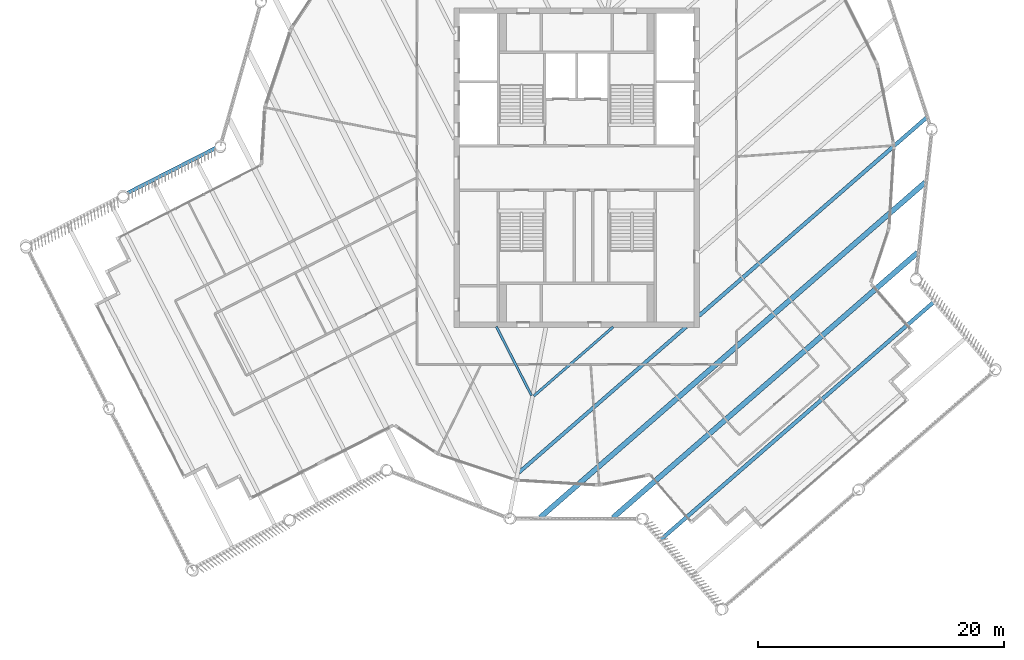
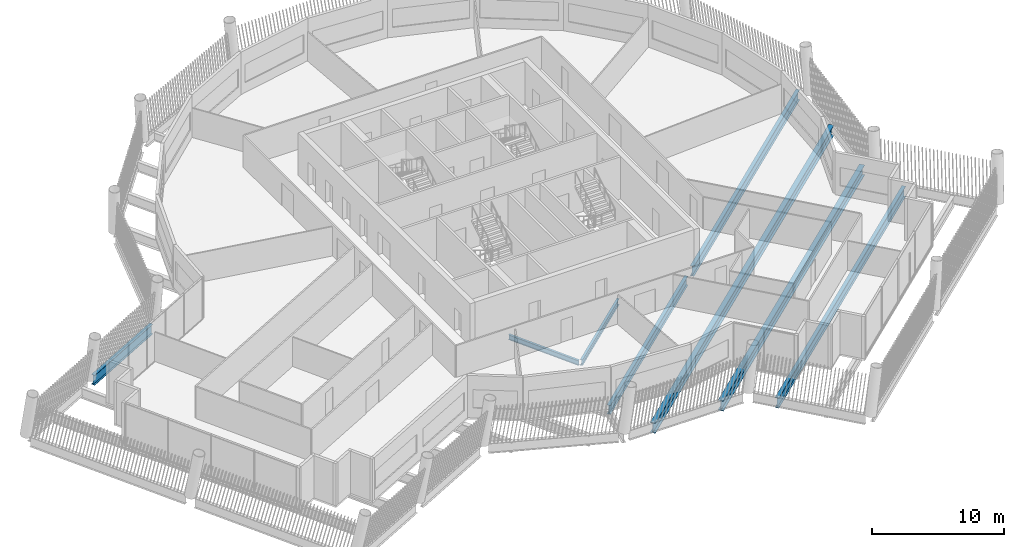
# One storey, part 11 of 28: 8 beams.
"""IFC4 building model written with IfcOpenShell, lengths in metres."""

from ifc_helpers import new_model, si_unit, direction, frame, origin, origin_2d, place, context, subcontext, project, spatial, i_section, extrude, material, material_profile, profile_set, type_object, element, save


model = new_model("IFC4")

# Units and contexts
model_context = context("Model", 3, precision=1e-05, world=origin(), true_north=direction((0.0, 1.0)))
body_context = subcontext(model_context, "Body", "Model", "MODEL_VIEW")
ifc_project = project(units=[si_unit("LENGTHUNIT", "METRE"), si_unit("AREAUNIT", "SQUARE_METRE"), si_unit("VOLUMEUNIT", "CUBIC_METRE"), si_unit("PLANEANGLEUNIT", "RADIAN"), si_unit("MASSUNIT", "GRAM", prefix="KILO")], contexts=[model_context])

# Site, building, storey
site_placement = place(None, origin())
site = spatial("IfcSite", under=ifc_project, at=site_placement, CompositionType="ELEMENT")
building_placement = place(site_placement, origin())
building = spatial("IfcBuilding", under=site, at=building_placement, Name="Tarsis Ring Headquarters", CompositionType="ELEMENT")
storey_placement = place(building_placement, frame((0.0, 0.0, 394.39990234375)))
storey = spatial("IfcBuildingStorey", under=building, at=storey_placement, Name="L93", CompositionType="ELEMENT", Elevation=394.39990234375)

# Beams
ifc_material = material(Name="Structural steel S355", Category="steel")
ifc_material_profile_1 = material_profile(ifc_material, i_section(OverallWidth=0.1904296875, OverallDepth=0.457275390625, WebThickness=0.009033203125, FlangeThickness=0.014404296875, at=origin_2d()), Name="W18x50")
ifc_profile_set_1 = profile_set([ifc_material_profile_1], Name="Structural steel S355")
beam_type_1 = type_object("IfcBeamType", Name="FB Floor beam W18x50", PredefinedType="JOIST", material=ifc_profile_set_1)
beam_1_placement = place(storey_placement, frame((-6.546142578125, -12.910888671875, -0.388427734375), z_axis=(0.454607763601, -0.890691743126, 0.0), x_axis=(0.890691743126, 0.454607763601, 0.0)))
element("IfcBeam", 1, at=beam_1_placement, inside=storey, type_object=beam_type_1, Name="Floor beam FB2", PredefinedType="JOIST", context=body_context, shape_type="SweptSolid", body=[
    extrude(i_section(OverallWidth=0.1904296875, OverallDepth=0.457275390625, WebThickness=0.009033203125, FlangeThickness=0.014404296875, at=origin_2d()), origin(), (0.0, 0.0, 1.0), 6.300048828125),
])
ifc_material_profile_2 = material_profile(ifc_material, i_section(OverallWidth=0.209228515625, OverallDepth=0.533447265625, WebThickness=0.01025390625, FlangeThickness=0.015625, at=origin_2d()), Name="W21x62")
ifc_profile_set_2 = profile_set([ifc_material_profile_2], Name="Structural steel S355")
beam_type_2 = type_object("IfcBeamType", Name="FB Floor beam W21x62", PredefinedType="JOIST", material=ifc_profile_set_2)
beam_2_placement = place(storey_placement, frame((-3.498779296875, -18.5576171875, -0.426513671875), z_axis=(0.754262368038, 0.656573133901, 0.0), x_axis=(-0.656573133901, 0.754262368038, 0.0)))
element("IfcBeam", 2, at=beam_2_placement, inside=storey, type_object=beam_type_2, Name="Floor beam FB3", PredefinedType="JOIST", context=body_context, shape_type="SweptSolid", body=[
    extrude(i_section(OverallWidth=0.209228515625, OverallDepth=0.533447265625, WebThickness=0.01025390625, FlangeThickness=0.015625, at=origin_2d()), origin(), (0.0, 0.0, 1.0), 8.564697265625),
])
ifc_material_profile_3 = material_profile(ifc_material, i_section(OverallWidth=0.2919921875, OverallDepth=0.835693359375, WebThickness=0.013916015625, FlangeThickness=0.018798828125, at=origin_2d()), Name="W33x118")
ifc_profile_set_3 = profile_set([ifc_material_profile_3], Name="Structural steel S355")
beam_type_3 = type_object("IfcBeamType", Name="FB Floor beam W33x118", PredefinedType="JOIST", material=ifc_profile_set_3)
beam_3_placement = place(storey_placement, frame((-4.703125, -24.77685546875, -0.57763671875), z_axis=(0.75424960107, 0.656587800135, 0.0), x_axis=(-0.656587800135, 0.75424960107, 0.0)))
element("IfcBeam", 3, at=beam_3_placement, inside=storey, type_object=beam_type_3, Name="Floor beam FB7", PredefinedType="JOIST", context=body_context, shape_type="SweptSolid", body=[
    extrude(i_section(OverallWidth=0.2919921875, OverallDepth=0.835693359375, WebThickness=0.013916015625, FlangeThickness=0.018798828125, at=origin_2d()), origin(), (0.0, 0.0, 1.0), 18.036376953125),
])
ifc_material_profile_4 = material_profile(ifc_material, i_section(OverallWidth=0.309814453125, OverallDepth=0.93212890625, WebThickness=0.02099609375, FlangeThickness=0.034423828125, at=origin_2d()), Name="W36x210")
ifc_profile_set_4 = profile_set([ifc_material_profile_4], Name="Structural steel S355")
beam_type_4 = type_object("IfcBeamType", Name="FB Floor beam W36x210", PredefinedType="JOIST", material=ifc_profile_set_4)
beam_4_placement = place(storey_placement, frame((9.924560546875, -12.043212890625, -0.6259765625), z_axis=(0.754254741983, 0.656581894508, 0.0), x_axis=(-0.656581894508, 0.754254741983, 0.0)))
element("IfcBeam", 4, at=beam_4_placement, inside=storey, type_object=beam_type_4, Name="Floor beam FB10", PredefinedType="JOIST", context=body_context, shape_type="SweptSolid", body=[
    extrude(i_section(OverallWidth=0.309814453125, OverallDepth=0.93212890625, WebThickness=0.02099609375, FlangeThickness=0.034423828125, at=origin_2d()), origin(), (0.0, 0.0, 1.0), 24.595703125),
])
ifc_material_profile_5 = material_profile(ifc_material, i_section(OverallWidth=0.309814453125, OverallDepth=0.949951171875, WebThickness=0.0244140625, FlangeThickness=0.0439453125, at=origin_2d()), Name="W36x256")
ifc_profile_set_5 = profile_set([ifc_material_profile_5], Name="Structural steel S355")
beam_type_5 = type_object("IfcBeamType", Name="FB Floor beam W36x256", PredefinedType="JOIST", material=ifc_profile_set_5)
beam_5_placement = place(storey_placement, frame((6.801513671875, -30.274169921875, -0.635009765625), z_axis=(0.754246873713, 0.656590933149, 0.0), x_axis=(-0.656590933149, 0.754246873713, 0.0)))
element("IfcBeam", 5, at=beam_5_placement, inside=storey, type_object=beam_type_5, Name="Floor beam FB11", PredefinedType="JOIST", context=body_context, shape_type="SweptSolid", body=[
    extrude(i_section(OverallWidth=0.309814453125, OverallDepth=0.949951171875, WebThickness=0.0244140625, FlangeThickness=0.0439453125, at=origin_2d()), origin(), (0.0, 0.0, 1.0), 29.4951171875),
])
ifc_material_profile_6 = material_profile(ifc_material, i_section(OverallWidth=0.42431640625, OverallDepth=0.947509765625, WebThickness=0.02392578125, FlangeThickness=0.042724609375, at=origin_2d()), Name="W36x302")
ifc_profile_set_6 = profile_set([ifc_material_profile_6], Name="Structural steel S355")
beam_type_6 = type_object("IfcBeamType", Name="FB Floor beam W36x302", PredefinedType="JOIST", material=ifc_profile_set_6)
beam_6_placement = place(storey_placement, frame((-2.9765625, -28.444580078125, -0.633544921875), z_axis=(0.754250807297, 0.656586414489, 0.0), x_axis=(-0.656586414489, 0.754250807297, 0.0)))
element("IfcBeam", 6, at=beam_6_placement, inside=storey, type_object=beam_type_6, Name="Floor beam FB12", PredefinedType="JOIST", context=body_context, shape_type="SweptSolid", body=[
    extrude(i_section(OverallWidth=0.42431640625, OverallDepth=0.947509765625, WebThickness=0.02392578125, FlangeThickness=0.042724609375, at=origin_2d()), origin(), (0.0, 0.0, 1.0), 41.531494140625),
])
beam_7_placement = place(storey_placement, frame((2.9306640625, -28.472900390625, -0.633544921875), z_axis=(0.75425297027, 0.656583929775, 0.0), x_axis=(-0.656583929775, 0.75425297027, 0.0)))
element("IfcBeam", 7, at=beam_7_placement, inside=storey, type_object=beam_type_6, Name="Floor beam FB12", PredefinedType="JOIST", context=body_context, shape_type="SweptSolid", body=[
    extrude(i_section(OverallWidth=0.42431640625, OverallDepth=0.947509765625, WebThickness=0.02392578125, FlangeThickness=0.042724609375, at=origin_2d()), origin(), (0.0, 0.0, 1.0), 32.88330078125),
])
ifc_material_profile_7 = material_profile(ifc_material, i_section(OverallWidth=0.3046875, OverallDepth=0.91943359375, WebThickness=0.017333984375, FlangeThickness=0.02783203125, at=origin_2d()), Name="W36x170")
ifc_profile_set_7 = profile_set([ifc_material_profile_7], Name="Structural steel S355")
beam_type_7 = type_object("IfcBeamType", Name="XG Ring girder W36x170", PredefinedType="BEAM", material=ifc_profile_set_7)
beam_8_placement = place(storey_placement, frame((-29.35791015625, 1.6318359375, -0.459716796875), z_axis=(-0.890697950292, -0.454595601988, 0.0), x_axis=(0.454595601988, -0.890697950292, 0.0)))
element("IfcBeam", 8, at=beam_8_placement, inside=storey, type_object=beam_type_7, Name="Ring girder XG4", PredefinedType="BEAM", context=body_context, shape_type="SweptSolid", body=[
    extrude(i_section(OverallWidth=0.3046875, OverallDepth=0.91943359375, WebThickness=0.017333984375, FlangeThickness=0.02783203125, at=origin_2d()), origin(), (0.0, 0.0, 1.0), 8.079345703125),
])

save(model, "model.ifc")
